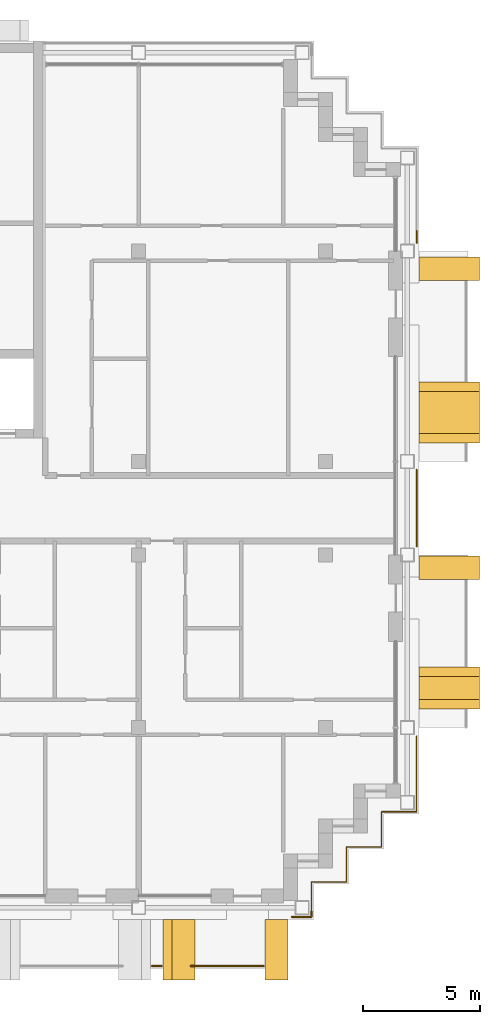
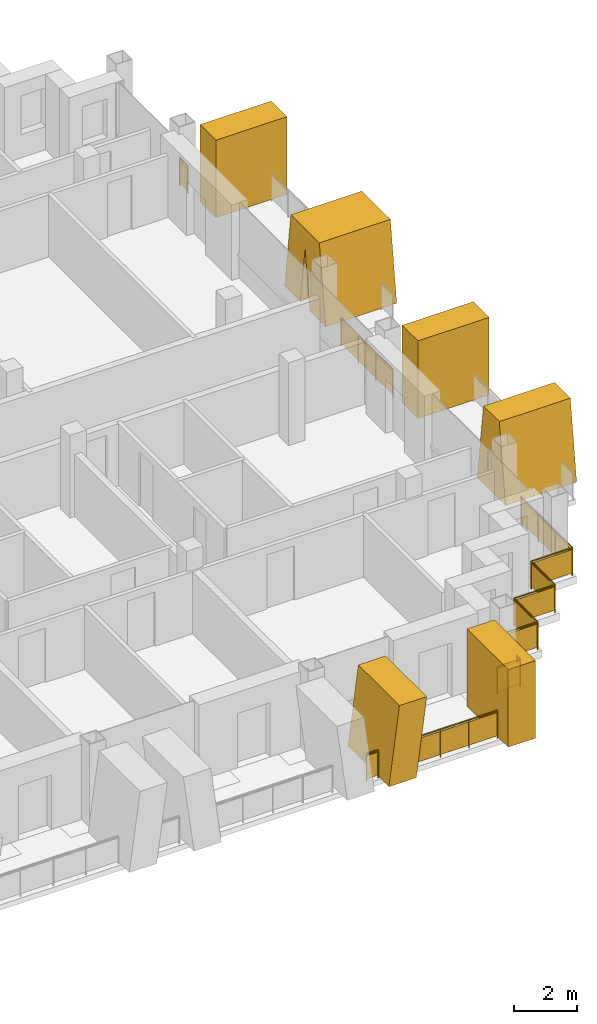
# One storey, part 13 of 15: 6 railings, 6 shading devices.
"""IFC4 building model written with IfcOpenShell, lengths in metres."""

from ifc_helpers import new_model, si_unit, direction, frame, origin, origin_2d, place, context, subcontext, project, spatial, polyline, rectangle, circle, outline, extrude, material, layer, layer_set, type_object, element, save


model = new_model("IFC4")

# Units and contexts
model_context = context("Model", 3, precision=1e-05, world=origin(), true_north=direction((0.0, 1.0)))
body_context = subcontext(model_context, "Body", "Model", "MODEL_VIEW")
ifc_project = project(units=[si_unit("LENGTHUNIT", "METRE"), si_unit("AREAUNIT", "SQUARE_METRE"), si_unit("VOLUMEUNIT", "CUBIC_METRE"), si_unit("PLANEANGLEUNIT", "RADIAN"), si_unit("MASSUNIT", "GRAM", prefix="KILO")], contexts=[model_context])

# Site, building, storey
site_placement = place(None, origin())
site = spatial("IfcSite", under=ifc_project, at=site_placement, CompositionType="ELEMENT")
building_placement = place(site_placement, origin())
building = spatial("IfcBuilding", under=site, at=building_placement, Name="Vidyagriha Tower", CompositionType="ELEMENT")
storey_placement = place(building_placement, frame((0.0, 0.0, 214.0)))
storey = spatial("IfcBuildingStorey", under=building, at=storey_placement, Name="L55", CompositionType="ELEMENT", Elevation=214.0)

# Railings
ifc_material_1 = material(Name="Steel ASTM A500 Grade C black painted", Category="steel")
railing_type_1 = type_object("IfcRailingType", Name="Balcony guard 1100", PredefinedType="BALUSTRADE", material=ifc_material_1)
railing_1_placement = place(storey_placement, frame((18.5625, -19.60009765625, 0.0)))
element("IfcRailing", 1, at=railing_1_placement, inside=storey, type_object=railing_type_1, Name="Balcony guard L55 R23.1-11", PredefinedType="BALUSTRADE", context=body_context, shape_type="SweptSolid", body=[
    extrude(circle(Radius=0.02490234375, at=origin_2d()), frame((0.0, 0.0, 1.0751953125), z_axis=(1.0, 0.0, 0.0), x_axis=(0.0, 1.0, 0.0)), (0.0, 0.0, 1.0), 0.425048828125),
    extrude(circle(Radius=0.02001953125, at=origin_2d()), origin(), (0.0, 0.0, 1.0), 1.050048828125),
    extrude(circle(Radius=0.02001953125, at=origin_2d()), frame((0.425048828125, 0.0, 0.0)), (0.0, 0.0, 1.0), 1.050048828125),
    extrude(rectangle(XDim=0.010009765625, YDim=0.900146484375, at=origin_2d()), frame((0.0, 0.0, 0.550048828125), z_axis=(1.0, 0.0, 0.0), x_axis=(0.0, 1.0, 0.0)), (0.0, 0.0, 1.0), 0.425048828125),
])
railing_2_placement = place(storey_placement, frame((20.233642578125, -19.60009765625, 0.0)))
element("IfcRailing", 2, at=railing_2_placement, inside=storey, type_object=railing_type_1, Name="Balcony guard L55 R23.1-12", PredefinedType="BALUSTRADE", context=body_context, shape_type="SweptSolid", body=[
    extrude(circle(Radius=0.02490234375, at=origin_2d()), frame((0.0, 0.0, 1.0751953125), z_axis=(1.0, 0.0, 0.0), x_axis=(0.0, 1.0, 0.0)), (0.0, 0.0, 1.0), 3.116455078125),
    extrude(circle(Radius=0.02001953125, at=origin_2d()), origin(), (0.0, 0.0, 1.0), 1.050048828125),
    extrude(circle(Radius=0.02001953125, at=origin_2d()), frame((1.038818359375, 0.0, 0.0)), (0.0, 0.0, 1.0), 1.050048828125),
    extrude(circle(Radius=0.02001953125, at=origin_2d()), frame((2.07763671875, 0.0, 0.0)), (0.0, 0.0, 1.0), 1.050048828125),
    extrude(circle(Radius=0.02001953125, at=origin_2d()), frame((3.116455078125, 0.0, 0.0)), (0.0, 0.0, 1.0), 1.050048828125),
    extrude(rectangle(XDim=0.010009765625, YDim=0.900146484375, at=origin_2d()), frame((0.0, 0.0, 0.550048828125), z_axis=(1.0, 0.0, 0.0), x_axis=(0.0, 1.0, 0.0)), (0.0, 0.0, 1.0), 3.116455078125),
])

# Shading devices
ifc_material_2 = material(Name="Precast concrete C40/50 with buff brick facing", Category="concrete")
ifc_layer_1 = layer(ifc_material_2, 1.0)
ifc_layer_set_1 = layer_set([ifc_layer_1], Name="Precast concrete C40/50 with buff brick facing")
shading_device_type_1 = type_object("IfcShadingDeviceType", Name="Brick-faced blade fin arm leaning 8 degrees", PredefinedType="USERDEFINED", material=ifc_layer_set_1)
shading_device_1_placement = place(storey_placement, frame((19.03759765625, -18.89990234375, 0.0)))
element("IfcShadingDevice", 3, at=shading_device_1_placement, inside=storey, type_object=shading_device_type_1, Name="Leaning blade fin L55 R23.4220a", ObjectType="BLADE FIN", PredefinedType="USERDEFINED", context=body_context, shape_type="SweptSolid", body=[
    extrude(outline(polyline([(0.0, 0.0), (1.0, 0.0), (1.381103515625, 3.0), (0.381103515625, 3.0), (0.0, 0.0)])), frame((0.0, 1.300048828125, 0.0), z_axis=(0.0, -1.0, 0.0), x_axis=(1.0, 0.0, 0.0)), (0.0, 0.0, 1.0), 2.60009765625),
])
ifc_material_3 = material(Name="Precast concrete C40/50 with buff brick facing", Category="concrete")
ifc_layer_2 = layer(ifc_material_3, 1.0)
ifc_layer_set_2 = layer_set([ifc_layer_2], Name="Precast concrete C40/50 with buff brick facing")
shading_device_type_2 = type_object("IfcShadingDeviceType", Name="Brick-faced blade fin forking 8 degrees", PredefinedType="USERDEFINED", material=ifc_layer_set_2)
shading_device_2_placement = place(storey_placement, frame((31.300048828125, -8.60009765625, 0.0), z_axis=(0.0, 0.0, 1.0), x_axis=(0.0, 1.0, 0.0)))
element("IfcShadingDevice", 4, at=shading_device_2_placement, inside=storey, type_object=shading_device_type_2, Name="Forked blade fin L55 R30.240a", ObjectType="BLADE FIN", PredefinedType="USERDEFINED", context=body_context, shape_type="SweptSolid", body=[
    extrude(outline(polyline([(0.0, 0.0), (1.800048828125, 0.0), (1.39990234375, 3.0), (0.39990234375, 3.0), (0.0, 0.0)])), frame((0.0, 1.300048828125, 0.0), z_axis=(0.0, -1.0, 0.0), x_axis=(1.0, 0.0, 0.0)), (0.0, 0.0, 1.0), 2.60009765625),
])
shading_device_3_placement = place(storey_placement, frame((31.300048828125, 2.800048828125, 0.0), z_axis=(0.0, 0.0, 1.0), x_axis=(0.0, 1.0, 0.0)))
element("IfcShadingDevice", 5, at=shading_device_3_placement, inside=storey, type_object=shading_device_type_2, Name="Forked blade fin L55 R30.1380a", ObjectType="BLADE FIN", PredefinedType="USERDEFINED", context=body_context, shape_type="SweptSolid", body=[
    extrude(outline(polyline([(1.0, 0.0), (1.300048828125, 2.25), (1.60009765625, 0.0), (2.60009765625, 0.0), (2.199951171875, 3.0), (0.39990234375, 3.0), (0.0, 0.0), (1.0, 0.0)])), frame((0.0, 1.300048828125, 0.0), z_axis=(0.0, -1.0, 0.0), x_axis=(1.0, 0.0, 0.0)), (0.0, 0.0, 1.0), 2.60009765625),
])
ifc_material_4 = material(Name="Precast concrete C40/50 with buff brick facing", Category="concrete")
ifc_layer_3 = layer(ifc_material_4, 1.0)
ifc_layer_set_3 = layer_set([ifc_layer_3], Name="Precast concrete C40/50 with buff brick facing")
shading_device_type_3 = type_object("IfcShadingDeviceType", Name="Brick-faced blade fin stem 1000", PredefinedType="USERDEFINED", material=ifc_layer_set_3)
shading_device_4_placement = place(storey_placement, frame((23.39990234375, -18.89990234375, 0.0)))
element("IfcShadingDevice", 6, at=shading_device_4_placement, inside=storey, type_object=shading_device_type_3, Name="Stem blade fin L55 R23.4840a", ObjectType="BLADE FIN", PredefinedType="USERDEFINED", context=body_context, shape_type="SweptSolid", body=[
    extrude(outline(polyline([(0.0, 0.0), (1.0, 0.0), (1.0, 3.0), (0.0, 3.0), (0.0, 0.0)])), frame((0.0, 1.300048828125, 0.0), z_axis=(0.0, -1.0, 0.0), x_axis=(1.0, 0.0, 0.0)), (0.0, 0.0, 1.0), 2.60009765625),
])
for number, where, z_axis, x_axis, name in (
    (7, (31.300048828125, -3.050048828125, 0.0), (0.0, 0.0, 1.0), (0.0, 1.0, 0.0), "Stem blade fin L55 R30.980a"),
    (8, (31.300048828125, 9.75, 0.0), (0.0, 0.0, 1.0), (0.0, 1.0, 0.0), "Stem blade fin L55 R30.2280a"),
):
    element("IfcShadingDevice", number, at=place(storey_placement, frame(where, z_axis=z_axis, x_axis=x_axis)), inside=storey, type_object=shading_device_type_3, Name=name, ObjectType="BLADE FIN", PredefinedType="USERDEFINED", context=body_context, shape_type="SweptSolid", body=[
        extrude(outline(polyline([(0.0, 0.0), (1.0, 0.0), (1.0, 3.0), (0.0, 3.0), (0.0, 0.0)])), frame((0.0, 1.300048828125, 0.0), z_axis=(0.0, -1.0, 0.0), x_axis=(1.0, 0.0, 0.0)), (0.0, 0.0, 1.0), 2.60009765625),
    ])

# Railings
ifc_material_5 = material(Name="Steel ASTM A500 Grade C black painted", Category="steel")
railing_type_2 = type_object("IfcRailingType", Name="Gallery guard 1100", PredefinedType="GUARDRAIL", material=ifc_material_5)
railing_3_placement = place(storey_placement, frame((29.89990234375, 11.8701171875, 0.0)))
element("IfcRailing", 9, at=railing_3_placement, inside=storey, type_object=railing_type_2, Name="Gallery guard L55 9", PredefinedType="GUARDRAIL", context=body_context, shape_type="SweptSolid", body=[
    extrude(circle(Radius=0.02490234375, at=origin_2d()), frame((0.0, 0.0, 1.0751953125), z_axis=(0.0, -1.0, 0.0), x_axis=(1.0, 0.0, 0.0)), (0.0, 0.0, 1.0), 0.510009765625),
    extrude(circle(Radius=0.02001953125, at=origin_2d()), origin(), (0.0, 0.0, 1.0), 1.050048828125),
    extrude(circle(Radius=0.02001953125, at=origin_2d()), frame((0.0, -0.510009765625, 0.0)), (0.0, 0.0, 1.0), 1.050048828125),
    extrude(rectangle(XDim=0.010009765625, YDim=0.900146484375, at=origin_2d()), frame((0.0, 0.0, 0.550048828125), z_axis=(0.0, -1.0, 0.0), x_axis=(1.0, 0.0, 0.0)), (0.0, 0.0, 1.0), 0.510009765625),
])
railing_4_placement = place(storey_placement, frame((29.89990234375, -9.760009765625, 0.0)))
element("IfcRailing", 10, at=railing_4_placement, inside=storey, type_object=railing_type_2, Name="Gallery guard L55 10", PredefinedType="GUARDRAIL", context=body_context, shape_type="SweptSolid", body=[
    extrude(circle(Radius=0.02490234375, at=origin_2d()), frame((0.0, 0.0, 1.0751953125), z_axis=(0.0, -1.0, 0.0), x_axis=(1.0, 0.0, 0.0)), (0.0, 0.0, 1.0), 3.239990234375),
    extrude(circle(Radius=0.02490234375, at=origin_2d()), frame((0.0, -3.239990234375, 1.0751953125), z_axis=(-1.0, 0.0, 0.0), x_axis=(0.0, -1.0, 0.0)), (0.0, 0.0, 1.0), 1.5),
    extrude(circle(Radius=0.02490234375, at=origin_2d()), frame((-1.5, -3.239990234375, 1.0751953125), z_axis=(0.0, -1.0, 0.0), x_axis=(1.0, 0.0, 0.0)), (0.0, 0.0, 1.0), 1.5),
    extrude(circle(Radius=0.02490234375, at=origin_2d()), frame((-1.5, -4.739990234375, 1.0751953125), z_axis=(-1.0, 0.0, 0.0), x_axis=(0.0, -1.0, 0.0)), (0.0, 0.0, 1.0), 1.5),
    extrude(circle(Radius=0.02490234375, at=origin_2d()), frame((-3.0, -4.739990234375, 1.0751953125), z_axis=(0.0, -1.0, 0.0), x_axis=(1.0, 0.0, 0.0)), (0.0, 0.0, 1.0), 1.5),
    extrude(circle(Radius=0.02490234375, at=origin_2d()), frame((-3.0, -6.239990234375, 1.0751953125), z_axis=(-1.0, 0.0, 0.0), x_axis=(0.0, -1.0, 0.0)), (0.0, 0.0, 1.0), 1.5),
    extrude(circle(Radius=0.02490234375, at=origin_2d()), frame((-4.5, -6.239990234375, 1.0751953125), z_axis=(0.0, -1.0, 0.0), x_axis=(1.0, 0.0, 0.0)), (0.0, 0.0, 1.0), 1.260009765625),
    extrude(circle(Radius=0.02001953125, at=origin_2d()), origin(), (0.0, 0.0, 1.0), 1.050048828125),
    extrude(circle(Radius=0.02001953125, at=origin_2d()), frame((0.0, -1.080078125, 0.0)), (0.0, 0.0, 1.0), 1.050048828125),
    extrude(circle(Radius=0.02001953125, at=origin_2d()), frame((0.0, -2.159912109375, 0.0)), (0.0, 0.0, 1.0), 1.050048828125),
    extrude(circle(Radius=0.02001953125, at=origin_2d()), frame((0.0, -3.239990234375, 0.0)), (0.0, 0.0, 1.0), 1.050048828125),
    extrude(circle(Radius=0.02001953125, at=origin_2d()), frame((-1.5, -3.239990234375, 0.0)), (0.0, 0.0, 1.0), 1.050048828125),
    extrude(circle(Radius=0.02001953125, at=origin_2d()), frame((-1.5, -4.739990234375, 0.0)), (0.0, 0.0, 1.0), 1.050048828125),
    extrude(circle(Radius=0.02001953125, at=origin_2d()), frame((-3.0, -4.739990234375, 0.0)), (0.0, 0.0, 1.0), 1.050048828125),
    extrude(circle(Radius=0.02001953125, at=origin_2d()), frame((-3.0, -6.239990234375, 0.0)), (0.0, 0.0, 1.0), 1.050048828125),
    extrude(circle(Radius=0.02001953125, at=origin_2d()), frame((-4.5, -6.239990234375, 0.0)), (0.0, 0.0, 1.0), 1.050048828125),
    extrude(circle(Radius=0.02001953125, at=origin_2d()), frame((-4.5, -7.5, 0.0)), (0.0, 0.0, 1.0), 1.050048828125),
    extrude(rectangle(XDim=0.010009765625, YDim=0.900146484375, at=origin_2d()), frame((0.0, 0.0, 0.550048828125), z_axis=(0.0, -1.0, 0.0), x_axis=(1.0, 0.0, 0.0)), (0.0, 0.0, 1.0), 3.239990234375),
    extrude(rectangle(XDim=0.010009765625, YDim=0.900146484375, at=origin_2d()), frame((0.0, -3.239990234375, 0.550048828125), z_axis=(-1.0, 0.0, 0.0), x_axis=(0.0, -1.0, 0.0)), (0.0, 0.0, 1.0), 1.5),
    extrude(rectangle(XDim=0.010009765625, YDim=0.900146484375, at=origin_2d()), frame((-1.5, -3.239990234375, 0.550048828125), z_axis=(0.0, -1.0, 0.0), x_axis=(1.0, 0.0, 0.0)), (0.0, 0.0, 1.0), 1.5),
    extrude(rectangle(XDim=0.010009765625, YDim=0.900146484375, at=origin_2d()), frame((-1.5, -4.739990234375, 0.550048828125), z_axis=(-1.0, 0.0, 0.0), x_axis=(0.0, -1.0, 0.0)), (0.0, 0.0, 1.0), 1.5),
    extrude(rectangle(XDim=0.010009765625, YDim=0.900146484375, at=origin_2d()), frame((-3.0, -4.739990234375, 0.550048828125), z_axis=(0.0, -1.0, 0.0), x_axis=(1.0, 0.0, 0.0)), (0.0, 0.0, 1.0), 1.5),
    extrude(rectangle(XDim=0.010009765625, YDim=0.900146484375, at=origin_2d()), frame((-3.0, -6.239990234375, 0.550048828125), z_axis=(-1.0, 0.0, 0.0), x_axis=(0.0, -1.0, 0.0)), (0.0, 0.0, 1.0), 1.5),
    extrude(rectangle(XDim=0.010009765625, YDim=0.900146484375, at=origin_2d()), frame((-4.5, -6.239990234375, 0.550048828125), z_axis=(0.0, -1.0, 0.0), x_axis=(1.0, 0.0, 0.0)), (0.0, 0.0, 1.0), 1.260009765625),
])
railing_5_placement = place(storey_placement, frame((25.39990234375, -17.260009765625, 0.0)))
element("IfcRailing", 11, at=railing_5_placement, inside=storey, type_object=railing_type_2, Name="Gallery guard L55 11", PredefinedType="GUARDRAIL", context=body_context, shape_type="SweptSolid", body=[
    extrude(circle(Radius=0.02490234375, at=origin_2d()), frame((0.0, 0.0, 1.0751953125), z_axis=(0.0, -1.0, 0.0), x_axis=(1.0, 0.0, 0.0)), (0.0, 0.0, 1.0), 0.239990234375),
    extrude(circle(Radius=0.02490234375, at=origin_2d()), frame((0.0, -0.239990234375, 1.0751953125), z_axis=(-1.0, 0.0, 0.0), x_axis=(0.0, -1.0, 0.0)), (0.0, 0.0, 1.0), 0.83984375),
    extrude(circle(Radius=0.02001953125, at=origin_2d()), origin(), (0.0, 0.0, 1.0), 1.050048828125),
    extrude(circle(Radius=0.02001953125, at=origin_2d()), frame((0.0, -0.239990234375, 0.0)), (0.0, 0.0, 1.0), 1.050048828125),
    extrude(circle(Radius=0.02001953125, at=origin_2d()), frame((-0.83984375, -0.239990234375, 0.0)), (0.0, 0.0, 1.0), 1.050048828125),
    extrude(rectangle(XDim=0.010009765625, YDim=0.900146484375, at=origin_2d()), frame((0.0, 0.0, 0.550048828125), z_axis=(0.0, -1.0, 0.0), x_axis=(1.0, 0.0, 0.0)), (0.0, 0.0, 1.0), 0.239990234375),
    extrude(rectangle(XDim=0.010009765625, YDim=0.900146484375, at=origin_2d()), frame((0.0, -0.239990234375, 0.550048828125), z_axis=(-1.0, 0.0, 0.0), x_axis=(0.0, -1.0, 0.0)), (0.0, 0.0, 1.0), 0.83984375),
])
railing_6_placement = place(storey_placement, frame((29.89990234375, 1.639892578125, 0.0)))
element("IfcRailing", 12, at=railing_6_placement, inside=storey, type_object=railing_type_2, Name="Gallery guard L55 12", PredefinedType="GUARDRAIL", context=body_context, shape_type="SweptSolid", body=[
    extrude(circle(Radius=0.02490234375, at=origin_2d()), frame((0.0, 0.0, 1.0751953125), z_axis=(0.0, -1.0, 0.0), x_axis=(1.0, 0.0, 0.0)), (0.0, 0.0, 1.0), 3.27978515625),
    extrude(circle(Radius=0.02001953125, at=origin_2d()), origin(), (0.0, 0.0, 1.0), 1.050048828125),
    extrude(circle(Radius=0.02001953125, at=origin_2d()), frame((0.0, -1.09326171875, 0.0)), (0.0, 0.0, 1.0), 1.050048828125),
    extrude(circle(Radius=0.02001953125, at=origin_2d()), frame((0.0, -2.1865234375, 0.0)), (0.0, 0.0, 1.0), 1.050048828125),
    extrude(circle(Radius=0.02001953125, at=origin_2d()), frame((0.0, -3.27978515625, 0.0)), (0.0, 0.0, 1.0), 1.050048828125),
    extrude(rectangle(XDim=0.010009765625, YDim=0.900146484375, at=origin_2d()), frame((0.0, 0.0, 0.550048828125), z_axis=(0.0, -1.0, 0.0), x_axis=(1.0, 0.0, 0.0)), (0.0, 0.0, 1.0), 3.27978515625),
])

save(model, "model.ifc")
